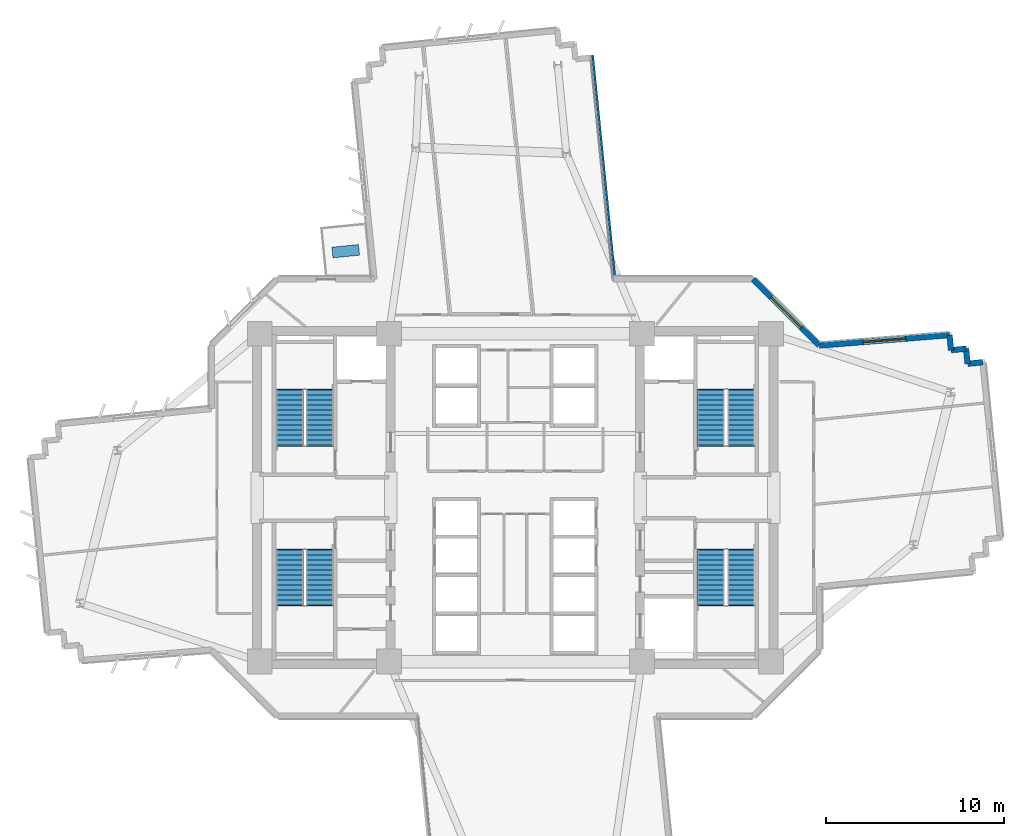
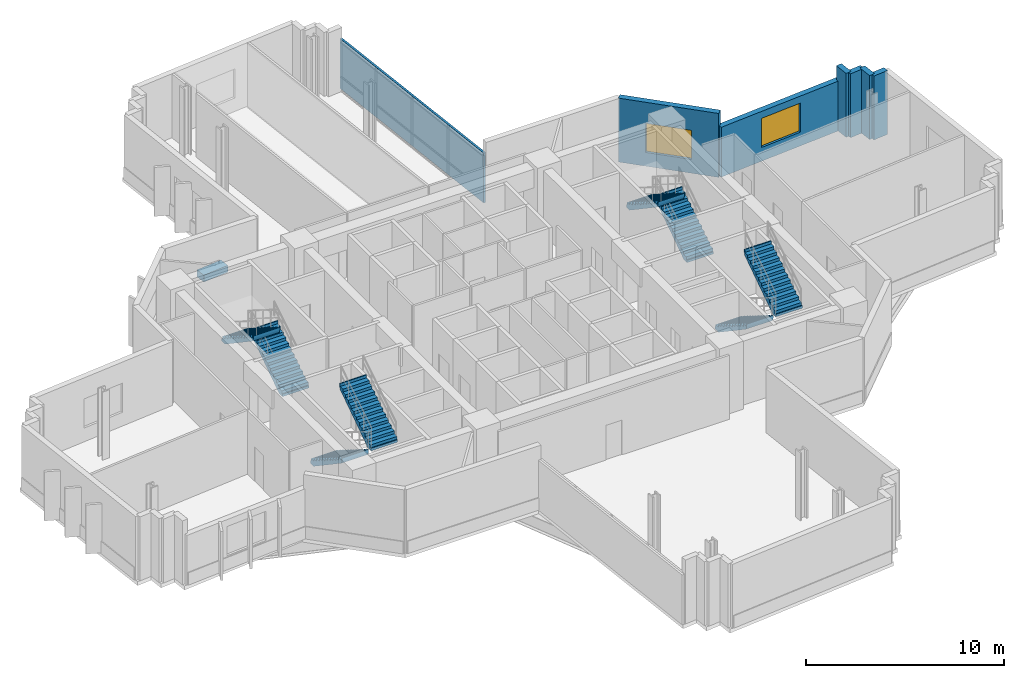
# One storey, part 10 of 14: 8 stair flights, 7 walls, 2 windows, 1 discrete accessory, 2 openings, 4 elements without a shape of their own.
"""IFC4 building model written with IfcOpenShell, lengths in metres."""

from ifc_helpers import new_model, si_unit, direction, frame, frame_2d, origin, origin_2d, place, context, subcontext, project, spatial, polyline, rectangle, outline, extrude, source, transform, mapped, material, layer, layer_set, type_object, element, fill, aggregate, save


model = new_model("IFC4")

# Units and contexts
model_context = context("Model", 3, precision=1e-05, world=origin(), true_north=direction((0.0, 1.0)))
body_context = subcontext(model_context, "Body", "Model", "MODEL_VIEW")
ifc_project = project(units=[si_unit("LENGTHUNIT", "METRE"), si_unit("AREAUNIT", "SQUARE_METRE"), si_unit("VOLUMEUNIT", "CUBIC_METRE"), si_unit("PLANEANGLEUNIT", "RADIAN"), si_unit("MASSUNIT", "GRAM", prefix="KILO")], contexts=[model_context])

# Site, building, storey
site_placement = place(None, origin())
site = spatial("IfcSite", under=ifc_project, at=site_placement, CompositionType="ELEMENT")
building_placement = place(site_placement, origin())
building = spatial("IfcBuilding", under=site, at=building_placement, Name="Zahravan Cultural Tower", CompositionType="ELEMENT")
storey_placement = place(building_placement, frame((0.0, 0.0, 92.10009765625)))
storey = spatial("IfcBuildingStorey", under=building, at=storey_placement, Name="L20", CompositionType="ELEMENT", Elevation=92.10009765625)

# Wall, opening, window
ifc_material_1 = material(Name="Precast concrete C40/50", Category="concrete")
ifc_layer_1 = layer(ifc_material_1, 0.320068359375)
ifc_layer_set_1 = layer_set([ifc_layer_1], Name="Precast concrete C40/50")
wall_type_1 = type_object("IfcWallType", Name="EW-TC-320", PredefinedType="SOLIDWALL", material=ifc_layer_set_1)
wall_1_placement = place(storey_placement, frame((49.342041015625, 39.260009765625, 0.0), z_axis=(0.0, 0.0, 1.0), x_axis=(0.707106781187, -0.707106781187, 0.0)))
wall_1 = element("IfcWall", 1, at=wall_1_placement, inside=storey, type_object=wall_type_1, Name="L20 Exterior Masonry Frame Wall 26", PredefinedType="SOLIDWALL", context=body_context, shape_type="SweptSolid", body=[
    extrude(rectangle(XDim=5.258056640625, YDim=0.320068359375, at=frame_2d((2.62890625, 0.0))), origin(), (0.0, 0.0, 1.0), 3.949951171875),
])
opening_1_placement = place(wall_1_placement, frame((1.428955078125, 0.0, 0.85009765625)))
opening_1 = element("IfcOpeningElement", 2, at=opening_1_placement, cuts=wall_1, Name="Opening WN-01", PredefinedType="OPENING", context=body_context, shape_type="SweptSolid", body=[
    extrude(rectangle(XDim=2.39990234375, YDim=1.800048828125, at=frame_2d((1.199951171875, 0.89990234375))), frame((0.0, 0.169921875, 0.0), z_axis=(0.0, -1.0, 0.0), x_axis=(1.0, 0.0, 0.0)), (0.0, 0.0, 1.0), 0.340087890625),
])
ifc_material_2 = material(Name="Low-E solar-control double glazing", Category="glass")
window_type = type_object("IfcWindowType", Name="WN-REC-2400X1800", PartitioningType="DOUBLE_PANEL_VERTICAL", PredefinedType="WINDOW", material=ifc_material_2)
shared_shape_1 = source(origin(), body_context, "Body", "SweptSolid", [
    extrude(rectangle(XDim=2.39990234375, YDim=1.800048828125, at=frame_2d((1.199951171875, 0.89990234375))), frame((0.0, 0.030029296875, 0.0), z_axis=(0.0, -1.0, 0.0), x_axis=(1.0, 0.0, 0.0)), (0.0, 0.0, 1.0), 0.06005859375),
])
window_1_placement = place(opening_1_placement, origin())
window_1 = element("IfcWindow", 3, at=window_1_placement, inside=storey, type_object=window_type, Name="L20 Recessed Solar Window 06", OverallHeight=1.800048828125, OverallWidth=2.39990234375, PartitioningType="DOUBLE_PANEL_VERTICAL", PredefinedType="WINDOW", context=body_context, shape_type="MappedRepresentation", body=[
    mapped(shared_shape_1, transform((0.0, 0.0, 0.0), x_axis=(1.0, 0.0, 0.0), y_axis=(0.0, 1.0, 0.0), z_axis=(0.0, 0.0, 1.0), scale=1.0)),
])
fill(opening_1, window_1)

wall_2_placement = place(storey_placement, frame((53.06005859375, 35.5419921875, 0.0), z_axis=(0.0, 0.0, 1.0), x_axis=(0.996827539556, 0.079591811023, 0.0)))
wall_2 = element("IfcWall", 4, at=wall_2_placement, inside=storey, type_object=wall_type_1, Name="L20 Exterior Masonry Frame Wall 27", PredefinedType="SOLIDWALL", context=body_context, shape_type="SweptSolid", body=[
    extrude(rectangle(XDim=7.337158203125, YDim=0.320068359375, at=frame_2d((3.66845703125, 0.0))), origin(), (0.0, 0.0, 1.0), 3.079833984375),
])
opening_2_placement = place(wall_2_placement, frame((2.468994140625, 0.0, 0.85009765625)))
opening_2 = element("IfcOpeningElement", 5, at=opening_2_placement, cuts=wall_2, Name="Opening WN-01", PredefinedType="OPENING", context=body_context, shape_type="SweptSolid", body=[
    extrude(rectangle(XDim=2.39990234375, YDim=1.800048828125, at=frame_2d((1.199951171875, 0.89990234375))), frame((0.0, 0.169921875, 0.0), z_axis=(0.0, -1.0, 0.0), x_axis=(1.0, 0.0, 0.0)), (0.0, 0.0, 1.0), 0.340087890625),
])
window_2_placement = place(opening_2_placement, origin())
window_2 = element("IfcWindow", 6, at=window_2_placement, inside=storey, type_object=window_type, Name="L20 Recessed Solar Window 07", OverallHeight=1.800048828125, OverallWidth=2.39990234375, PartitioningType="DOUBLE_PANEL_VERTICAL", PredefinedType="WINDOW", context=body_context, shape_type="MappedRepresentation", body=[
    mapped(shared_shape_1, transform((0.0, 0.0, 0.0), x_axis=(1.0, 0.0, 0.0), y_axis=(0.0, 1.0, 0.0), z_axis=(0.0, 0.0, 1.0), scale=1.0)),
])
fill(opening_2, window_2)

# Walls
shared_shape_2 = source(origin(), body_context, "Body", "SweptSolid", [
    extrude(rectangle(XDim=0.849853515625, YDim=0.320068359375, at=frame_2d((0.4248046875, 0.0))), origin(), (0.0, 0.0, 1.0), 3.949951171875),
])
for number, where, z_axis, x_axis, name in (
    (7, (60.3740234375, 36.1259765625, 0.0), (0.0, 0.0, 1.0), (0.09938995433, -0.995048560111, 0.0), "L20 Exterior Masonry Frame Wall 28"),
    (8, (61.304443359375, 35.364501953125, 0.0), (0.0, 0.0, 1.0), (0.09938995433, -0.995048560111, 0.0), "L20 Exterior Masonry Frame Wall 30"),
    (9, (61.388916015625, 34.518798828125, 0.0), (0.0, 0.0, 1.0), (0.995048560111, 0.09938995433, 0.0), "L20 Exterior Masonry Frame Wall 31"),
):
    element("IfcWall", number, at=place(storey_placement, frame(where, z_axis=z_axis, x_axis=x_axis)), inside=storey, type_object=wall_type_1, Name=name, PredefinedType="SOLIDWALL", context=body_context, shape_type="MappedRepresentation", body=[
        mapped(shared_shape_2, transform((0.0, 0.0, 0.0), x_axis=(1.0, 0.0, 0.0), y_axis=(0.0, 1.0, 0.0), z_axis=(0.0, 0.0, 1.0), scale=1.0)),
    ])
shared_shape_3 = source(origin(), body_context, "Body", "SweptSolid", [
    extrude(rectangle(XDim=0.85009765625, YDim=0.320068359375, at=frame_2d((0.425048828125, 0.0))), origin(), (0.0, 0.0, 1.0), 3.949951171875),
])
wall_3_placement = place(storey_placement, frame((60.45849609375, 35.2802734375, 0.0), z_axis=(0.0, 0.0, 1.0), x_axis=(0.995079749343, 0.09907720448, 0.0)))
element("IfcWall", 10, at=wall_3_placement, inside=storey, type_object=wall_type_1, Name="L20 Exterior Masonry Frame Wall 29", PredefinedType="SOLIDWALL", context=body_context, shape_type="MappedRepresentation", body=[
    mapped(shared_shape_3, transform((0.0, 0.0, 0.0), x_axis=(1.0, 0.0, 0.0), y_axis=(0.0, 1.0, 0.0), z_axis=(0.0, 0.0, 1.0), scale=1.0)),
])
ifc_material_3 = material(Name="Gypsum plasterboard partition")
ifc_layer_2 = layer(ifc_material_3, 0.125)
ifc_layer_set_2 = layer_set([ifc_layer_2], Name="Gypsum plasterboard partition")
wall_type_2 = type_object("IfcWallType", Name="W-PART-125", PredefinedType="PARTITIONING", material=ifc_layer_set_2)
shared_shape_4 = source(origin(), body_context, "Body", "SweptSolid", [
    extrude(rectangle(XDim=12.470458984375, YDim=0.125, at=frame_2d((6.2353515625, 0.0))), origin(), (0.0, 0.0, 1.0), 3.079833984375),
])
wall_4_placement = place(storey_placement, frame((40.3349609375, 51.83349609375, 0.0), z_axis=(0.0, 0.0, 1.0), x_axis=(0.099590945301, -0.99502846372, 0.0)))
element("IfcWall", 11, at=wall_4_placement, inside=storey, type_object=wall_type_2, Name="L20 Interior Wall 111", PredefinedType="PARTITIONING", context=body_context, shape_type="MappedRepresentation", body=[
    mapped(shared_shape_4, transform((0.0, 0.0, 0.0), x_axis=(1.0, 0.0, 0.0), y_axis=(0.0, 1.0, 0.0), z_axis=(0.0, 0.0, 1.0), scale=1.0)),
])

# Stair, stair flights
ifc_material_4 = material(Name="Concrete C45/55", Category="concrete")
stair_type = type_object("IfcStairType", Name="STR-DL-1550-420", PredefinedType="HALF_TURN_STAIR", material=ifc_material_4)
stair_1_placement = place(storey_placement, origin())
stair_1 = element("IfcStair", 12, at=stair_1_placement, inside=storey, type_object=stair_type, Name="L20 West Core North Exit Stair ST-W1", PredefinedType="HALF_TURN_STAIR")
stair_flight_type = type_object("IfcStairFlightType", Name="FLG-DL-1550-420", PredefinedType="STRAIGHT", material=ifc_material_4)
stair_flight_1_placement = place(storey_placement, frame((25.02490234375, 29.949951171875, 0.0), z_axis=(0.0, 0.0, 1.0), x_axis=(0.0, 1.0, 0.0)))
stair_flight_1 = element("IfcStairFlight", 13, at=stair_flight_1_placement, type_object=stair_flight_type, Name="ST-W1 flight 1", NumberOfRisers=12, NumberOfTreads=11, PredefinedType="STRAIGHT", RiserHeight=0.175, TreadLength=0.28, context=body_context, shape_type="SweptSolid", body=[
    extrude(outline(polyline([(-0.06494140625, -0.139892578125), (-0.06494140625, 0.0), (0.0, 0.0), (0.0, 0.175048828125), (0.280029296875, 0.175048828125), (0.280029296875, 0.35009765625), (0.56005859375, 0.35009765625), (0.56005859375, 0.52490234375), (0.840087890625, 0.52490234375), (0.840087890625, 0.699951171875), (1.1201171875, 0.699951171875), (1.1201171875, 0.875), (1.39990234375, 0.875), (1.39990234375, 1.050048828125), (1.679931640625, 1.050048828125), (1.679931640625, 1.22509765625), (1.9599609375, 1.22509765625), (1.9599609375, 1.39990234375), (2.239990234375, 1.39990234375), (2.239990234375, 1.574951171875), (2.52001953125, 1.574951171875), (2.52001953125, 1.75), (2.800048828125, 1.75), (2.800048828125, 1.925048828125), (3.080078125, 1.925048828125), (3.080078125, 2.10009765625), (3.14501953125, 2.10009765625), (3.14501953125, 1.9501953125), (3.080078125, 1.748291015625), (0.28271484375, -0.139892578125), (-0.06494140625, -0.139892578125)])), frame((0.0, 0.77490234375, 0.0), z_axis=(0.0, -1.0, 0.0), x_axis=(1.0, 0.0, 0.0)), (0.0, 0.0, 1.0), 1.550048828125),
])
stair_flight_2_placement = place(storey_placement, frame((23.324951171875, 33.030029296875, 2.099853515625), z_axis=(0.0, 0.0, 1.0), x_axis=(0.0, -1.0, 0.0)))
stair_flight_2 = element("IfcStairFlight", 14, at=stair_flight_2_placement, type_object=stair_flight_type, Name="ST-W1 flight 2", NumberOfRisers=12, NumberOfTreads=11, PredefinedType="STRAIGHT", RiserHeight=0.175, TreadLength=0.28, context=body_context, shape_type="SweptSolid", body=[
    extrude(outline(polyline([(-0.06494140625, -0.139892578125), (-0.06494140625, 0.0), (0.0, 0.0), (0.0, 0.175048828125), (0.280029296875, 0.175048828125), (0.280029296875, 0.35009765625), (0.56005859375, 0.35009765625), (0.56005859375, 0.52490234375), (0.840087890625, 0.52490234375), (0.840087890625, 0.699951171875), (1.1201171875, 0.699951171875), (1.1201171875, 0.875), (1.39990234375, 0.875), (1.39990234375, 1.050048828125), (1.679931640625, 1.050048828125), (1.679931640625, 1.22509765625), (1.9599609375, 1.22509765625), (1.9599609375, 1.39990234375), (2.239990234375, 1.39990234375), (2.239990234375, 1.574951171875), (2.52001953125, 1.574951171875), (2.52001953125, 1.75), (2.800048828125, 1.75), (2.800048828125, 1.925048828125), (3.080078125, 1.925048828125), (3.080078125, 2.10009765625), (3.14501953125, 2.10009765625), (3.14501953125, 1.9501953125), (3.080078125, 1.748291015625), (0.28271484375, -0.139892578125), (-0.06494140625, -0.139892578125)])), frame((0.0, 0.77490234375, 0.0), z_axis=(0.0, -1.0, 0.0), x_axis=(1.0, 0.0, 0.0)), (0.0, 0.0, 1.0), 1.550048828125),
])
aggregate(stair_1, [stair_flight_1, stair_flight_2])

stair_2_placement = place(storey_placement, origin())
stair_2 = element("IfcStair", 15, at=stair_2_placement, inside=storey, type_object=stair_type, Name="L20 West Core South Exit Stair ST-W2", PredefinedType="HALF_TURN_STAIR")
stair_flight_3_placement = place(storey_placement, frame((23.324951171875, 24.050048828125, 0.0), z_axis=(0.0, 0.0, 1.0), x_axis=(0.0, -1.0, 0.0)))
stair_flight_3 = element("IfcStairFlight", 16, at=stair_flight_3_placement, type_object=stair_flight_type, Name="ST-W2 flight 1", NumberOfRisers=12, NumberOfTreads=11, PredefinedType="STRAIGHT", RiserHeight=0.175, TreadLength=0.28, context=body_context, shape_type="SweptSolid", body=[
    extrude(outline(polyline([(-0.06494140625, -0.139892578125), (-0.06494140625, 0.0), (0.0, 0.0), (0.0, 0.175048828125), (0.280029296875, 0.175048828125), (0.280029296875, 0.35009765625), (0.56005859375, 0.35009765625), (0.56005859375, 0.52490234375), (0.840087890625, 0.52490234375), (0.840087890625, 0.699951171875), (1.1201171875, 0.699951171875), (1.1201171875, 0.875), (1.39990234375, 0.875), (1.39990234375, 1.050048828125), (1.679931640625, 1.050048828125), (1.679931640625, 1.22509765625), (1.9599609375, 1.22509765625), (1.9599609375, 1.39990234375), (2.239990234375, 1.39990234375), (2.239990234375, 1.574951171875), (2.52001953125, 1.574951171875), (2.52001953125, 1.75), (2.800048828125, 1.75), (2.800048828125, 1.925048828125), (3.080078125, 1.925048828125), (3.080078125, 2.10009765625), (3.14501953125, 2.10009765625), (3.14501953125, 1.9501953125), (3.080078125, 1.748291015625), (0.28271484375, -0.139892578125), (-0.06494140625, -0.139892578125)])), frame((0.0, 0.77490234375, 0.0), z_axis=(0.0, -1.0, 0.0), x_axis=(1.0, 0.0, 0.0)), (0.0, 0.0, 1.0), 1.550048828125),
])
stair_flight_4_placement = place(storey_placement, frame((25.02490234375, 20.969970703125, 2.099853515625), z_axis=(0.0, 0.0, 1.0), x_axis=(0.0, 1.0, 0.0)))
stair_flight_4 = element("IfcStairFlight", 17, at=stair_flight_4_placement, type_object=stair_flight_type, Name="ST-W2 flight 2", NumberOfRisers=12, NumberOfTreads=11, PredefinedType="STRAIGHT", RiserHeight=0.175, TreadLength=0.28, context=body_context, shape_type="SweptSolid", body=[
    extrude(outline(polyline([(-0.06494140625, -0.139892578125), (-0.06494140625, 0.0), (0.0, 0.0), (0.0, 0.175048828125), (0.280029296875, 0.175048828125), (0.280029296875, 0.35009765625), (0.56005859375, 0.35009765625), (0.56005859375, 0.52490234375), (0.840087890625, 0.52490234375), (0.840087890625, 0.699951171875), (1.1201171875, 0.699951171875), (1.1201171875, 0.875), (1.39990234375, 0.875), (1.39990234375, 1.050048828125), (1.679931640625, 1.050048828125), (1.679931640625, 1.22509765625), (1.9599609375, 1.22509765625), (1.9599609375, 1.39990234375), (2.239990234375, 1.39990234375), (2.239990234375, 1.574951171875), (2.52001953125, 1.574951171875), (2.52001953125, 1.75), (2.800048828125, 1.75), (2.800048828125, 1.925048828125), (3.080078125, 1.925048828125), (3.080078125, 2.10009765625), (3.14501953125, 2.10009765625), (3.14501953125, 1.9501953125), (3.080078125, 1.748291015625), (0.28271484375, -0.139892578125), (-0.06494140625, -0.139892578125)])), frame((0.0, 0.77490234375, 0.0), z_axis=(0.0, -1.0, 0.0), x_axis=(1.0, 0.0, 0.0)), (0.0, 0.0, 1.0), 1.550048828125),
])
aggregate(stair_2, [stair_flight_3, stair_flight_4])

stair_3_placement = place(storey_placement, origin())
stair_3 = element("IfcStair", 18, at=stair_3_placement, inside=storey, type_object=stair_type, Name="L20 East Core North Exit Stair ST-E1", PredefinedType="HALF_TURN_STAIR")
stair_flight_5_placement = place(storey_placement, frame((48.675048828125, 29.949951171875, 0.0), z_axis=(0.0, 0.0, 1.0), x_axis=(0.0, 1.0, 0.0)))
stair_flight_5 = element("IfcStairFlight", 19, at=stair_flight_5_placement, type_object=stair_flight_type, Name="ST-E1 flight 1", NumberOfRisers=12, NumberOfTreads=11, PredefinedType="STRAIGHT", RiserHeight=0.175, TreadLength=0.28, context=body_context, shape_type="SweptSolid", body=[
    extrude(outline(polyline([(-0.06494140625, -0.139892578125), (-0.06494140625, 0.0), (0.0, 0.0), (0.0, 0.175048828125), (0.280029296875, 0.175048828125), (0.280029296875, 0.35009765625), (0.56005859375, 0.35009765625), (0.56005859375, 0.52490234375), (0.840087890625, 0.52490234375), (0.840087890625, 0.699951171875), (1.1201171875, 0.699951171875), (1.1201171875, 0.875), (1.39990234375, 0.875), (1.39990234375, 1.050048828125), (1.679931640625, 1.050048828125), (1.679931640625, 1.22509765625), (1.9599609375, 1.22509765625), (1.9599609375, 1.39990234375), (2.239990234375, 1.39990234375), (2.239990234375, 1.574951171875), (2.52001953125, 1.574951171875), (2.52001953125, 1.75), (2.800048828125, 1.75), (2.800048828125, 1.925048828125), (3.080078125, 1.925048828125), (3.080078125, 2.10009765625), (3.14501953125, 2.10009765625), (3.14501953125, 1.9501953125), (3.080078125, 1.748291015625), (0.28271484375, -0.139892578125), (-0.06494140625, -0.139892578125)])), frame((0.0, 0.77490234375, 0.0), z_axis=(0.0, -1.0, 0.0), x_axis=(1.0, 0.0, 0.0)), (0.0, 0.0, 1.0), 1.550048828125),
])
stair_flight_6_placement = place(storey_placement, frame((46.97509765625, 33.030029296875, 2.099853515625), z_axis=(0.0, 0.0, 1.0), x_axis=(0.0, -1.0, 0.0)))
stair_flight_6 = element("IfcStairFlight", 20, at=stair_flight_6_placement, type_object=stair_flight_type, Name="ST-E1 flight 2", NumberOfRisers=12, NumberOfTreads=11, PredefinedType="STRAIGHT", RiserHeight=0.175, TreadLength=0.28, context=body_context, shape_type="SweptSolid", body=[
    extrude(outline(polyline([(-0.06494140625, -0.139892578125), (-0.06494140625, 0.0), (0.0, 0.0), (0.0, 0.175048828125), (0.280029296875, 0.175048828125), (0.280029296875, 0.35009765625), (0.56005859375, 0.35009765625), (0.56005859375, 0.52490234375), (0.840087890625, 0.52490234375), (0.840087890625, 0.699951171875), (1.1201171875, 0.699951171875), (1.1201171875, 0.875), (1.39990234375, 0.875), (1.39990234375, 1.050048828125), (1.679931640625, 1.050048828125), (1.679931640625, 1.22509765625), (1.9599609375, 1.22509765625), (1.9599609375, 1.39990234375), (2.239990234375, 1.39990234375), (2.239990234375, 1.574951171875), (2.52001953125, 1.574951171875), (2.52001953125, 1.75), (2.800048828125, 1.75), (2.800048828125, 1.925048828125), (3.080078125, 1.925048828125), (3.080078125, 2.10009765625), (3.14501953125, 2.10009765625), (3.14501953125, 1.9501953125), (3.080078125, 1.748291015625), (0.28271484375, -0.139892578125), (-0.06494140625, -0.139892578125)])), frame((0.0, 0.77490234375, 0.0), z_axis=(0.0, -1.0, 0.0), x_axis=(1.0, 0.0, 0.0)), (0.0, 0.0, 1.0), 1.550048828125),
])
aggregate(stair_3, [stair_flight_5, stair_flight_6])

stair_4_placement = place(storey_placement, origin())
stair_4 = element("IfcStair", 21, at=stair_4_placement, inside=storey, type_object=stair_type, Name="L20 East Core South Exit Stair ST-E2", PredefinedType="HALF_TURN_STAIR")
stair_flight_7_placement = place(storey_placement, frame((46.97509765625, 24.050048828125, 0.0), z_axis=(0.0, 0.0, 1.0), x_axis=(0.0, -1.0, 0.0)))
stair_flight_7 = element("IfcStairFlight", 22, at=stair_flight_7_placement, type_object=stair_flight_type, Name="ST-E2 flight 1", NumberOfRisers=12, NumberOfTreads=11, PredefinedType="STRAIGHT", RiserHeight=0.175, TreadLength=0.28, context=body_context, shape_type="SweptSolid", body=[
    extrude(outline(polyline([(-0.06494140625, -0.139892578125), (-0.06494140625, 0.0), (0.0, 0.0), (0.0, 0.175048828125), (0.280029296875, 0.175048828125), (0.280029296875, 0.35009765625), (0.56005859375, 0.35009765625), (0.56005859375, 0.52490234375), (0.840087890625, 0.52490234375), (0.840087890625, 0.699951171875), (1.1201171875, 0.699951171875), (1.1201171875, 0.875), (1.39990234375, 0.875), (1.39990234375, 1.050048828125), (1.679931640625, 1.050048828125), (1.679931640625, 1.22509765625), (1.9599609375, 1.22509765625), (1.9599609375, 1.39990234375), (2.239990234375, 1.39990234375), (2.239990234375, 1.574951171875), (2.52001953125, 1.574951171875), (2.52001953125, 1.75), (2.800048828125, 1.75), (2.800048828125, 1.925048828125), (3.080078125, 1.925048828125), (3.080078125, 2.10009765625), (3.14501953125, 2.10009765625), (3.14501953125, 1.9501953125), (3.080078125, 1.748291015625), (0.28271484375, -0.139892578125), (-0.06494140625, -0.139892578125)])), frame((0.0, 0.77490234375, 0.0), z_axis=(0.0, -1.0, 0.0), x_axis=(1.0, 0.0, 0.0)), (0.0, 0.0, 1.0), 1.550048828125),
])
stair_flight_8_placement = place(storey_placement, frame((48.675048828125, 20.969970703125, 2.099853515625), z_axis=(0.0, 0.0, 1.0), x_axis=(0.0, 1.0, 0.0)))
stair_flight_8 = element("IfcStairFlight", 23, at=stair_flight_8_placement, type_object=stair_flight_type, Name="ST-E2 flight 2", NumberOfRisers=12, NumberOfTreads=11, PredefinedType="STRAIGHT", RiserHeight=0.175, TreadLength=0.28, context=body_context, shape_type="SweptSolid", body=[
    extrude(outline(polyline([(-0.06494140625, -0.139892578125), (-0.06494140625, 0.0), (0.0, 0.0), (0.0, 0.175048828125), (0.280029296875, 0.175048828125), (0.280029296875, 0.35009765625), (0.56005859375, 0.35009765625), (0.56005859375, 0.52490234375), (0.840087890625, 0.52490234375), (0.840087890625, 0.699951171875), (1.1201171875, 0.699951171875), (1.1201171875, 0.875), (1.39990234375, 0.875), (1.39990234375, 1.050048828125), (1.679931640625, 1.050048828125), (1.679931640625, 1.22509765625), (1.9599609375, 1.22509765625), (1.9599609375, 1.39990234375), (2.239990234375, 1.39990234375), (2.239990234375, 1.574951171875), (2.52001953125, 1.574951171875), (2.52001953125, 1.75), (2.800048828125, 1.75), (2.800048828125, 1.925048828125), (3.080078125, 1.925048828125), (3.080078125, 2.10009765625), (3.14501953125, 2.10009765625), (3.14501953125, 1.9501953125), (3.080078125, 1.748291015625), (0.28271484375, -0.139892578125), (-0.06494140625, -0.139892578125)])), frame((0.0, 0.77490234375, 0.0), z_axis=(0.0, -1.0, 0.0), x_axis=(1.0, 0.0, 0.0)), (0.0, 0.0, 1.0), 1.550048828125),
])
aggregate(stair_4, [stair_flight_7, stair_flight_8])

# Discrete accessory
ifc_material_5 = material(Name="Planted soil and terracotta planter", Category="masonry")
discrete_accessory_type = type_object("IfcDiscreteAccessoryType", Name="ACC-PLANTER-TC", PredefinedType="USERDEFINED", material=ifc_material_5)
shared_shape_5 = source(origin(), body_context, "Body", "SweptSolid", [
    extrude(rectangle(XDim=1.5, YDim=0.60009765625, at=origin_2d()), origin(), (0.0, 0.0, 1.0), 0.419921875),
])
discrete_accessory_placement = place(storey_placement, frame((26.476318359375, 40.834716796875, 0.0), z_axis=(0.0, 0.0, 1.0), x_axis=(0.995055569961, 0.099319749744, 0.0)))
element("IfcDiscreteAccessory", 24, at=discrete_accessory_placement, inside=storey, type_object=discrete_accessory_type, Name="L20 Terracotta Sculpture Planter NW", ObjectType="PLANTER", PredefinedType="USERDEFINED", context=body_context, shape_type="MappedRepresentation", body=[
    mapped(shared_shape_5, transform((0.0, 0.0, 0.0), x_axis=(1.0, 0.0, 0.0), y_axis=(0.0, 1.0, 0.0), z_axis=(0.0, 0.0, 1.0), scale=1.0)),
])

save(model, "model.ifc")
